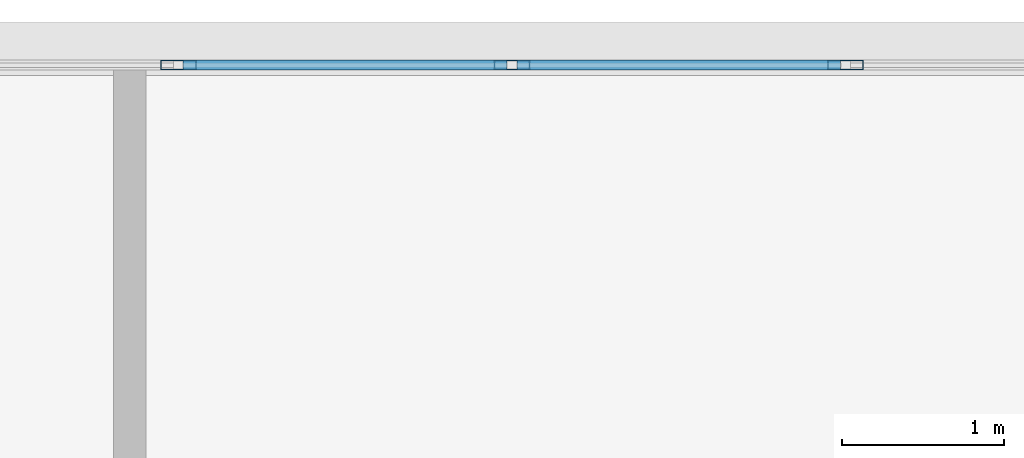
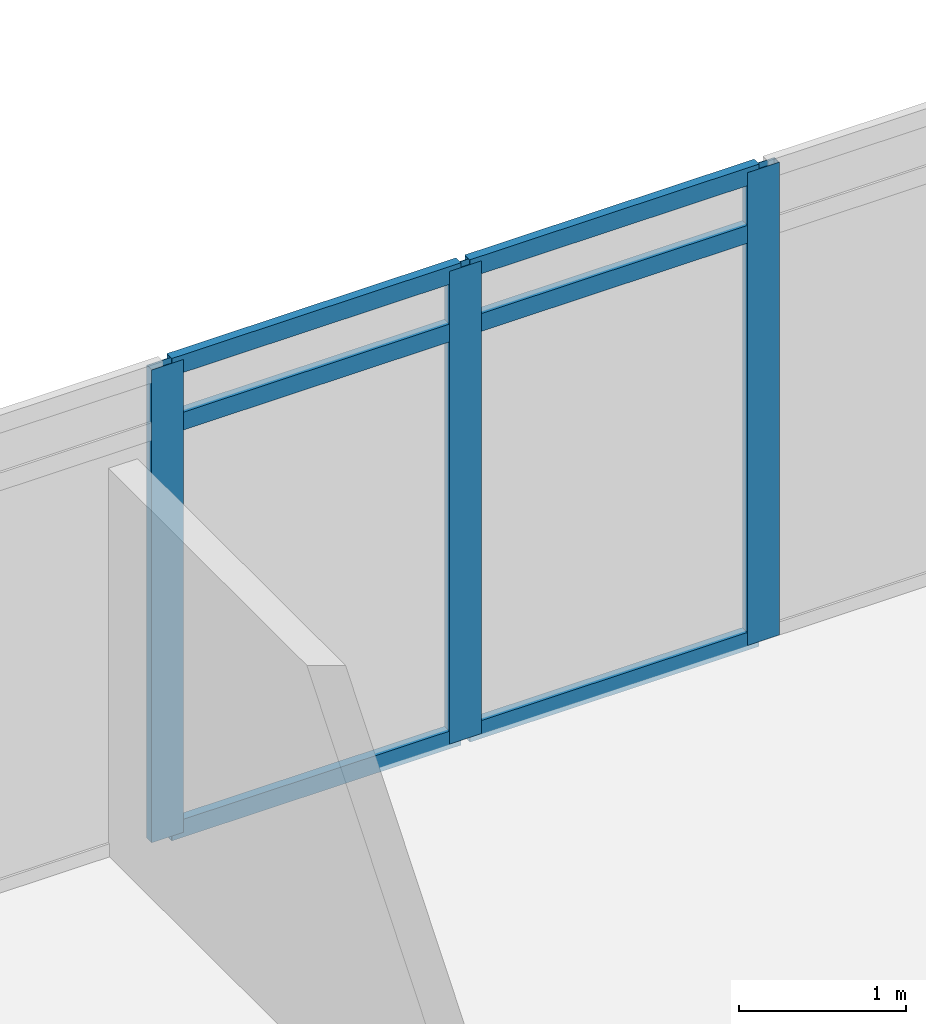
# One storey, part 20 of 38: 9 members, 1 element without a shape of its own.
"""IFC4 building model written with IfcOpenShell, lengths in metres."""

from ifc_helpers import new_model, si_unit, direction, frame, origin, origin_2d, place, context, subcontext, project, spatial, hollow_rectangle, extrude, material, material_profile, profile_set, type_object, element, aggregate, save


model = new_model("IFC4")

# Units and contexts
model_context = context("Model", 3, precision=1e-05, world=origin(), true_north=direction((0.0, 1.0)))
body_context = subcontext(model_context, "Body", "Model", "MODEL_VIEW")
ifc_project = project(units=[si_unit("LENGTHUNIT", "METRE"), si_unit("AREAUNIT", "SQUARE_METRE"), si_unit("VOLUMEUNIT", "CUBIC_METRE"), si_unit("PLANEANGLEUNIT", "RADIAN"), si_unit("MASSUNIT", "GRAM", prefix="KILO")], contexts=[model_context])

# Site, building, storey
site_placement = place(None, origin())
site = spatial("IfcSite", under=ifc_project, at=site_placement, CompositionType="ELEMENT")
building_placement = place(site_placement, origin())
building = spatial("IfcBuilding", under=site, at=building_placement, Name="Ostrander Bayou Hotel Tower", CompositionType="ELEMENT")
storey_placement = place(building_placement, frame((0.0, 0.0, 96.75)))
storey = spatial("IfcBuildingStorey", under=building, at=storey_placement, Name="L24", CompositionType="ELEMENT", Elevation=96.75)

# Curtain wall, members
ifc_material_1 = material(Name="Aluminium and clear glass", Category="aluminium")
curtain_wall_type = type_object("IfcCurtainWallType", Name="CW-BAR glazed wall", PredefinedType="NOTDEFINED", material=ifc_material_1)
curtain_wall_placement = place(storey_placement, origin())
curtain_wall = element("IfcCurtainWall", 1, at=curtain_wall_placement, inside=storey, type_object=curtain_wall_type, Name="CW-BAR L24:SB2N:T", PredefinedType="NOTDEFINED")
ifc_material_2 = material(Name="Aluminium", Category="aluminium")
ifc_material_profile_1 = material_profile(ifc_material_2, hollow_rectangle(XDim=0.06005859375, YDim=0.219970703125, WallThickness=0.00390625, at=origin_2d()))
ifc_profile_set_1 = profile_set([ifc_material_profile_1], Name="Aluminium")
member_type_1 = type_object("IfcMemberType", Name="CW-BR mullion 60 x 220 mm", PredefinedType="MULLION", material=ifc_profile_set_1)
member_1_placement = place(storey_placement, frame((-5.14111328125, 31.4453125, 0.0), z_axis=(0.0, 0.0, 1.0), x_axis=(0.0, 1.0, 0.0)))
member_1 = element("IfcMember", 2, at=member_1_placement, type_object=member_type_1, Name="CW-BAR mullion 5", PredefinedType="MULLION", context=body_context, shape_type="SweptSolid", body=[
    extrude(hollow_rectangle(XDim=0.06005859375, YDim=0.219970703125, WallThickness=0.00390625, at=origin_2d()), origin(), (0.0, 0.0, 1.0), 3.449951171875),
])
member_2_placement = place(storey_placement, frame((-3.084716796875, 31.4453125, 0.0), z_axis=(0.0, 0.0, 1.0), x_axis=(0.0, 1.0, 0.0)))
member_2 = element("IfcMember", 3, at=member_2_placement, type_object=member_type_1, Name="CW-BAR mullion 6", PredefinedType="MULLION", context=body_context, shape_type="SweptSolid", body=[
    extrude(hollow_rectangle(XDim=0.06005859375, YDim=0.219970703125, WallThickness=0.00390625, at=origin_2d()), origin(), (0.0, 0.0, 1.0), 3.449951171875),
])
member_3_placement = place(storey_placement, frame((-1.0283203125, 31.4453125, 0.0), z_axis=(0.0, 0.0, 1.0), x_axis=(0.0, 1.0, 0.0)))
member_3 = element("IfcMember", 4, at=member_3_placement, type_object=member_type_1, Name="CW-BAR mullion 7", PredefinedType="MULLION", context=body_context, shape_type="SweptSolid", body=[
    extrude(hollow_rectangle(XDim=0.06005859375, YDim=0.219970703125, WallThickness=0.00390625, at=origin_2d()), origin(), (0.0, 0.0, 1.0), 3.449951171875),
])
ifc_material_3 = material(Name="Aluminium", Category="aluminium")
ifc_material_profile_2 = material_profile(ifc_material_3, hollow_rectangle(XDim=0.06005859375, YDim=0.1298828125, WallThickness=0.00390625, at=origin_2d()))
ifc_profile_set_2 = profile_set([ifc_material_profile_2], Name="Aluminium")
member_type_2 = type_object("IfcMemberType", Name="CW-BR transom 60 x 130 mm", PredefinedType="USERDEFINED", material=ifc_profile_set_2)
member_4_placement = place(storey_placement, frame((-5.111328125, 31.4453125, 0.030029296875), z_axis=(1.0, 0.0, 0.0), x_axis=(0.0, 1.0, 0.0)))
member_4 = element("IfcMember", 5, at=member_4_placement, type_object=member_type_2, Name="CW-BAR transom 5.1", ObjectType="TRANSOM", PredefinedType="USERDEFINED", context=body_context, shape_type="SweptSolid", body=[
    extrude(hollow_rectangle(XDim=0.06005859375, YDim=0.1298828125, WallThickness=0.00390625, at=origin_2d()), origin(), (0.0, 0.0, 1.0), 1.99658203125),
])
member_5_placement = place(storey_placement, frame((-5.111328125, 31.4453125, 3.0), z_axis=(1.0, 0.0, 0.0), x_axis=(0.0, 1.0, 0.0)))
member_5 = element("IfcMember", 6, at=member_5_placement, type_object=member_type_2, Name="CW-BAR transom 5.2", ObjectType="TRANSOM", PredefinedType="USERDEFINED", context=body_context, shape_type="SweptSolid", body=[
    extrude(hollow_rectangle(XDim=0.06005859375, YDim=0.1298828125, WallThickness=0.00390625, at=origin_2d()), origin(), (0.0, 0.0, 1.0), 1.99658203125),
])
member_6_placement = place(storey_placement, frame((-5.111328125, 31.4453125, 3.419921875), z_axis=(1.0, 0.0, 0.0), x_axis=(0.0, 1.0, 0.0)))
member_6 = element("IfcMember", 7, at=member_6_placement, type_object=member_type_2, Name="CW-BAR transom 5.3", ObjectType="TRANSOM", PredefinedType="USERDEFINED", context=body_context, shape_type="SweptSolid", body=[
    extrude(hollow_rectangle(XDim=0.06005859375, YDim=0.1298828125, WallThickness=0.00390625, at=origin_2d()), origin(), (0.0, 0.0, 1.0), 1.99658203125),
])
member_7_placement = place(storey_placement, frame((-3.0546875, 31.4453125, 0.030029296875), z_axis=(1.0, 0.0, 0.0), x_axis=(0.0, 1.0, 0.0)))
member_7 = element("IfcMember", 8, at=member_7_placement, type_object=member_type_2, Name="CW-BAR transom 6.1", ObjectType="TRANSOM", PredefinedType="USERDEFINED", context=body_context, shape_type="SweptSolid", body=[
    extrude(hollow_rectangle(XDim=0.06005859375, YDim=0.1298828125, WallThickness=0.00390625, at=origin_2d()), origin(), (0.0, 0.0, 1.0), 1.996337890625),
])
member_8_placement = place(storey_placement, frame((-3.0546875, 31.4453125, 3.0), z_axis=(1.0, 0.0, 0.0), x_axis=(0.0, 1.0, 0.0)))
member_8 = element("IfcMember", 9, at=member_8_placement, type_object=member_type_2, Name="CW-BAR transom 6.2", ObjectType="TRANSOM", PredefinedType="USERDEFINED", context=body_context, shape_type="SweptSolid", body=[
    extrude(hollow_rectangle(XDim=0.06005859375, YDim=0.1298828125, WallThickness=0.00390625, at=origin_2d()), origin(), (0.0, 0.0, 1.0), 1.996337890625),
])
member_9_placement = place(storey_placement, frame((-3.0546875, 31.4453125, 3.419921875), z_axis=(1.0, 0.0, 0.0), x_axis=(0.0, 1.0, 0.0)))
member_9 = element("IfcMember", 10, at=member_9_placement, type_object=member_type_2, Name="CW-BAR transom 6.3", ObjectType="TRANSOM", PredefinedType="USERDEFINED", context=body_context, shape_type="SweptSolid", body=[
    extrude(hollow_rectangle(XDim=0.06005859375, YDim=0.1298828125, WallThickness=0.00390625, at=origin_2d()), origin(), (0.0, 0.0, 1.0), 1.996337890625),
])
aggregate(curtain_wall, [member_1, member_2, member_3, member_4, member_5, member_6, member_7, member_8, member_9])

save(model, "model.ifc")
